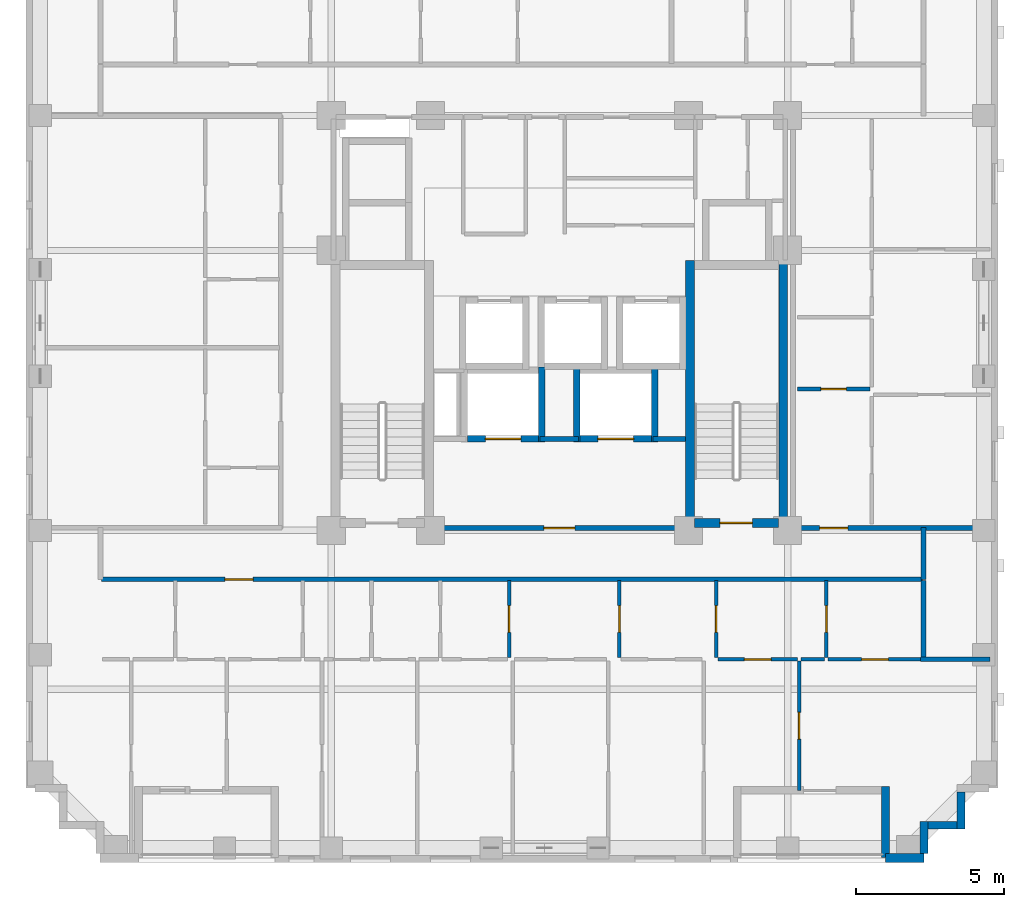
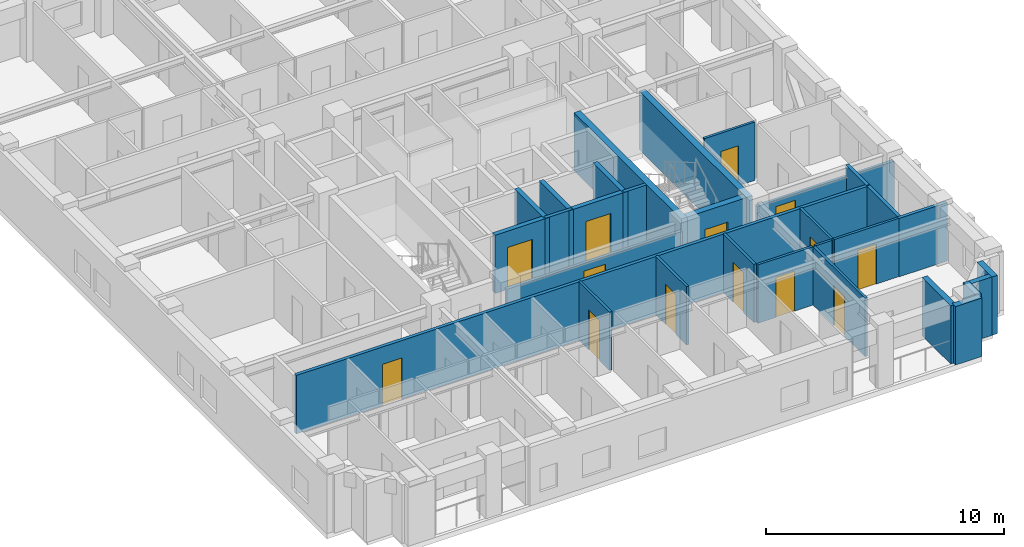
# One storey, part 4 of 12: 30 walls, 14 doors, 14 openings.
"""IFC4 building model written with IfcOpenShell, lengths in metres."""

from ifc_helpers import new_model, si_unit, derived_unit, direction, frame, frame_2d, origin, place, context, subcontext, project, spatial, rectangle, extrude, material, layer, layer_set, type_object, element, fill, save


model = new_model("IFC4")

# Units and contexts
model_context = context("Model", 3, precision=1e-05, world=origin(), true_north=direction((0.0, 1.0)))
body_context = subcontext(model_context, "Body", "Model", "MODEL_VIEW")
ifc_project = project(units=[si_unit("LENGTHUNIT", "METRE"), si_unit("AREAUNIT", "SQUARE_METRE"), si_unit("VOLUMEUNIT", "CUBIC_METRE"), si_unit("PLANEANGLEUNIT", "RADIAN"), si_unit("MASSUNIT", "GRAM", prefix="KILO"), derived_unit("THERMALTRANSMITTANCEUNIT", [(si_unit("MASSUNIT", "GRAM", prefix="KILO"), 1), (si_unit("TIMEUNIT", "SECOND"), -3), (si_unit("THERMODYNAMICTEMPERATUREUNIT", "KELVIN"), -1)])], contexts=[model_context])

# Site, building, storey
site_placement = place(None, origin())
site = spatial("IfcSite", under=ifc_project, at=site_placement, CompositionType="ELEMENT")
building_placement = place(site_placement, origin())
building = spatial("IfcBuilding", under=site, at=building_placement, Name="Korrvale Station Residences", CompositionType="ELEMENT")
storey_placement = place(building_placement, frame((0.0, 0.0, 130.89990234375)))
storey = spatial("IfcBuildingStorey", under=building, at=storey_placement, Name="L37", CompositionType="ELEMENT", Elevation=130.89990234375)

# Walls
ifc_material_1 = material(Name="Concrete C60/75", Category="concrete")
ifc_layer_1 = layer(ifc_material_1, 0.300048828125, Name="Concrete C60/75")
ifc_layer_set_1 = layer_set([ifc_layer_1], Name="Concrete C60/75")
wall_type_1 = type_object("IfcWallType", Name="WAL-CORE-300-C60", PredefinedType="SHEAR", material=ifc_layer_set_1)
for number, where, z_axis, x_axis, name in (
    (1, (29.89990234375, 15.10009765625, 0.0), (0.0, 0.0, 1.0), (0.0, 1.0, 0.0), "L37 ST-2 Core Shear Wall West"),
    (2, (33.050048828125, 15.10009765625, 0.0), (0.0, 0.0, 1.0), (0.0, 1.0, 0.0), "L37 ST-2 Core Shear Wall East"),
):
    element("IfcWall", number, at=place(storey_placement, frame(where, z_axis=z_axis, x_axis=x_axis)), inside=storey, type_object=wall_type_1, Name=name, PredefinedType="SHEAR", context=body_context, shape_type="SweptSolid", body=[
        extrude(rectangle(XDim=9.0, YDim=0.300048828125, at=frame_2d((4.5, 0.0))), origin(), (0.0, 0.0, 1.0), 2.989990234375),
    ])

# Wall, opening, door
wall_1_placement = place(storey_placement, frame((30.050048828125, 15.25, 0.0), z_axis=(0.0, 0.0, 1.0), x_axis=(1.0, 0.0, 0.0)))
wall_1 = element("IfcWall", 3, at=wall_1_placement, inside=storey, type_object=wall_type_1, Name="L37 ST-2 Core Shear Wall South", PredefinedType="SHEAR", context=body_context, shape_type="SweptSolid", body=[
    extrude(rectangle(XDim=2.849853515625, YDim=0.300048828125, at=frame_2d((1.4248046875, 0.0))), origin(), (0.0, 0.0, 1.0), 2.989990234375),
])
opening_1_placement = place(wall_1_placement, frame((0.860107421875, 0.0, 0.0)))
opening_1 = element("IfcOpeningElement", 4, at=opening_1_placement, cuts=wall_1, Name="Opening SD-1100", PredefinedType="OPENING", context=body_context, shape_type="SweptSolid", body=[
    extrude(rectangle(XDim=1.10009765625, YDim=2.050048828125, at=frame_2d((0.550048828125, 1.02490234375))), frame((0.0, 0.16015625, 0.0), z_axis=(0.0, -1.0, 0.0), x_axis=(1.0, 0.0, 0.0)), (0.0, 0.0, 1.0), 0.320068359375),
])
ifc_material_2 = material(Name="Hollow-metal fire-rated stair door with closer", Category="steel")
door_type_1 = type_object("IfcDoorType", Name="DR-STAIR-1100", OperationType="NOTDEFINED", PredefinedType="DOOR", material=ifc_material_2)
door_1_placement = place(opening_1_placement, origin())
door_1 = element("IfcDoor", 5, at=door_1_placement, inside=storey, type_object=door_type_1, Name="L37 ST-2 Exit Stair Door", OperationType="SINGLE_SWING_RIGHT", OverallHeight=2.050048828125, OverallWidth=1.10009765625, PredefinedType="DOOR", context=body_context, shape_type="SweptSolid", body=[
    extrude(rectangle(XDim=1.10009765625, YDim=2.050048828125, at=frame_2d((0.550048828125, 1.02490234375))), frame((0.0, 0.02490234375, 0.0), z_axis=(0.0, -1.0, 0.0), x_axis=(1.0, 0.0, 0.0)), (0.0, 0.0, 1.0), 0.050048828125),
])
fill(opening_1, door_1)

# Walls
ifc_material_3 = material(Name="Precast concrete C45/55", Category="concrete")
ifc_layer_2 = layer(ifc_material_3, 0.260009765625, Name="Precast concrete C45/55")
ifc_layer_set_2 = layer_set([ifc_layer_2], Name="Precast concrete C45/55")
wall_type_2 = type_object("IfcWallType", Name="WAL-EXT-LOG260", PredefinedType="SOLIDWALL", material=ifc_layer_set_2)
wall_2_placement = place(storey_placement, frame((36.5, 3.9599609375, 0.0), z_axis=(0.0, 0.0, 1.0), x_axis=(0.0, 1.0, 0.0)))
element("IfcWall", 6, at=wall_2_placement, inside=storey, type_object=wall_type_2, Name="L37 Recessed Loggia Wall BAL-L37-S2-L", PredefinedType="SOLIDWALL", context=body_context, shape_type="SweptSolid", body=[
    extrude(rectangle(XDim=2.400146484375, YDim=0.260009765625, at=frame_2d((1.2001953125, 0.0))), origin(), (0.0, 0.0, 1.0), 2.989990234375),
])
wall_3_placement = place(storey_placement, frame((39.050048828125, 6.16796875, 0.0), z_axis=(0.0, 0.0, 1.0), x_axis=(0.0, -1.0, 0.0)))
element("IfcWall", 7, at=wall_3_placement, inside=storey, type_object=wall_type_2, Name="L37 Serrated Corner Precast Step SE-2", PredefinedType="SOLIDWALL", context=body_context, shape_type="SweptSolid", body=[
    extrude(rectangle(XDim=1.248046875, YDim=0.260009765625, at=frame_2d((0.6240234375, 0.0))), origin(), (0.0, 0.0, 1.0), 2.989990234375),
])
wall_4_placement = place(storey_placement, frame((38.91796875, 5.050048828125, 0.0), z_axis=(0.0, 0.0, 1.0), x_axis=(-1.0, 0.0, 0.0)))
element("IfcWall", 8, at=wall_4_placement, inside=storey, type_object=wall_type_2, Name="L37 Serrated Corner Precast Step SE-3", PredefinedType="SOLIDWALL", context=body_context, shape_type="SweptSolid", body=[
    extrude(rectangle(XDim=0.986083984375, YDim=0.260009765625, at=frame_2d((0.4931640625, 0.0))), origin(), (0.0, 0.0, 1.0), 2.989990234375),
])
wall_5_placement = place(storey_placement, frame((37.800048828125, 5.179931640625, 0.0), z_axis=(0.0, 0.0, 1.0), x_axis=(0.0, -1.0, 0.0)))
element("IfcWall", 9, at=wall_5_placement, inside=storey, type_object=wall_type_2, Name="L37 Serrated Corner Precast Step SE-4", PredefinedType="SOLIDWALL", context=body_context, shape_type="SweptSolid", body=[
    extrude(rectangle(XDim=1.077880859375, YDim=0.260009765625, at=frame_2d((0.5390625, 0.0))), origin(), (0.0, 0.0, 1.0), 2.989990234375),
])
ifc_layer_3 = layer(ifc_material_3, 0.300048828125, Name="Precast concrete C45/55")
ifc_layer_set_3 = layer_set([ifc_layer_3], Name="Precast concrete C45/55")
wall_type_3 = type_object("IfcWallType", Name="WAL-EXT-PC300", PredefinedType="SOLIDWALL", material=ifc_layer_set_3)
wall_6_placement = place(storey_placement, frame((37.800048828125, 3.949951171875, 0.0), z_axis=(0.0, 0.0, 1.0), x_axis=(-1.0, 0.0, 0.0)))
element("IfcWall", 10, at=wall_6_placement, inside=storey, type_object=wall_type_3, Name="L37 South Exterior Precast Wall 1", PredefinedType="SOLIDWALL", context=body_context, shape_type="SweptSolid", body=[
    extrude(rectangle(XDim=1.300048828125, YDim=0.300048828125, at=frame_2d((0.64990234375, 0.0))), origin(), (0.0, 0.0, 1.0), 2.989990234375),
])

# Wall, opening, door
ifc_material_4 = material(Name="Acoustic steel-stud gypsum board partition", Category="steel")
ifc_layer_4 = layer(ifc_material_4, 0.1201171875, Name="Acoustic steel-stud gypsum board partition")
ifc_layer_set_4 = layer_set([ifc_layer_4], Name="Acoustic steel-stud gypsum board partition")
wall_type_4 = type_object("IfcWallType", Name="WAL-PART-125", PredefinedType="PARTITIONING", material=ifc_layer_set_4)
wall_7_placement = place(storey_placement, frame((23.800048828125, 10.7099609375, 0.0), z_axis=(0.0, 0.0, 1.0), x_axis=(0.0, 1.0, 0.0)))
wall_7 = element("IfcWall", 11, at=wall_7_placement, inside=storey, type_object=wall_type_4, Name="L37 Suite Partition U01-V45", PredefinedType="PARTITIONING", context=body_context, shape_type="SweptSolid", body=[
    extrude(rectangle(XDim=2.60009765625, YDim=0.1201171875, at=frame_2d((1.300048828125, 0.0))), origin(), (0.0, 0.0, 1.0), 2.989990234375),
])
opening_2_placement = place(wall_7_placement, frame((0.85009765625, 0.0, 0.0)))
opening_2 = element("IfcOpeningElement", 12, at=opening_2_placement, cuts=wall_7, Name="Opening DI-900", PredefinedType="OPENING", context=body_context, shape_type="SweptSolid", body=[
    extrude(rectangle(XDim=0.89990234375, YDim=2.050048828125, at=frame_2d((0.449951171875, 1.02490234375))), frame((0.0, 0.070068359375, 0.0), z_axis=(0.0, -1.0, 0.0), x_axis=(1.0, 0.0, 0.0)), (0.0, 0.0, 1.0), 0.14013671875),
])
ifc_material_5 = material(Name="Painted solid-core timber interior room door", Category="wood")
door_type_2 = type_object("IfcDoorType", Name="DR-INT-900", OperationType="NOTDEFINED", PredefinedType="DOOR", material=ifc_material_5)
door_2_placement = place(opening_2_placement, origin())
door_2 = element("IfcDoor", 13, at=door_2_placement, inside=storey, type_object=door_type_2, Name="L37 Studio Apartment L37-U01 Wardrobe Storage Room Door", OperationType="SINGLE_SWING_LEFT", OverallHeight=2.050048828125, OverallWidth=0.89990234375, PredefinedType="DOOR", context=body_context, shape_type="SweptSolid", body=[
    extrude(rectangle(XDim=0.89990234375, YDim=2.050048828125, at=frame_2d((0.449951171875, 1.02490234375))), frame((0.0, 0.02490234375, 0.0), z_axis=(0.0, -1.0, 0.0), x_axis=(1.0, 0.0, 0.0)), (0.0, 0.0, 1.0), 0.050048828125),
])
fill(opening_2, door_2)

wall_8_placement = place(storey_placement, frame((27.52001953125, 10.7099609375, 0.0), z_axis=(0.0, 0.0, 1.0), x_axis=(0.0, 1.0, 0.0)))
wall_8 = element("IfcWall", 14, at=wall_8_placement, inside=storey, type_object=wall_type_4, Name="L37 Suite Partition U01-V56", PredefinedType="PARTITIONING", context=body_context, shape_type="SweptSolid", body=[
    extrude(rectangle(XDim=2.60009765625, YDim=0.1201171875, at=frame_2d((1.300048828125, 0.0))), origin(), (0.0, 0.0, 1.0), 2.989990234375),
])
opening_3_placement = place(wall_8_placement, frame((0.85009765625, 0.0, 0.0)))
opening_3 = element("IfcOpeningElement", 15, at=opening_3_placement, cuts=wall_8, Name="Opening DI-900", PredefinedType="OPENING", context=body_context, shape_type="SweptSolid", body=[
    extrude(rectangle(XDim=0.89990234375, YDim=2.050048828125, at=frame_2d((0.449951171875, 1.02490234375))), frame((0.0, 0.070068359375, 0.0), z_axis=(0.0, -1.0, 0.0), x_axis=(1.0, 0.0, 0.0)), (0.0, 0.0, 1.0), 0.14013671875),
])
door_3_placement = place(opening_3_placement, origin())
door_3 = element("IfcDoor", 16, at=door_3_placement, inside=storey, type_object=door_type_2, Name="L37 Studio Apartment L37-U01 Utility and Laundry Room Door", OperationType="SINGLE_SWING_LEFT", OverallHeight=2.050048828125, OverallWidth=0.89990234375, PredefinedType="DOOR", context=body_context, shape_type="SweptSolid", body=[
    extrude(rectangle(XDim=0.89990234375, YDim=2.050048828125, at=frame_2d((0.449951171875, 1.02490234375))), frame((0.0, 0.02490234375, 0.0), z_axis=(0.0, -1.0, 0.0), x_axis=(1.0, 0.0, 0.0)), (0.0, 0.0, 1.0), 0.050048828125),
])
fill(opening_3, door_3)

wall_9_placement = place(storey_placement, frame((30.7900390625, 10.7099609375, 0.0), z_axis=(0.0, 0.0, 1.0), x_axis=(0.0, 1.0, 0.0)))
wall_9 = element("IfcWall", 17, at=wall_9_placement, inside=storey, type_object=wall_type_4, Name="L37 Suite Partition U01-V67", PredefinedType="PARTITIONING", context=body_context, shape_type="SweptSolid", body=[
    extrude(rectangle(XDim=2.60009765625, YDim=0.1201171875, at=frame_2d((1.300048828125, 0.0))), origin(), (0.0, 0.0, 1.0), 2.989990234375),
])
opening_4_placement = place(wall_9_placement, frame((0.85009765625, 0.0, 0.0)))
opening_4 = element("IfcOpeningElement", 18, at=opening_4_placement, cuts=wall_9, Name="Opening DI-900", PredefinedType="OPENING", context=body_context, shape_type="SweptSolid", body=[
    extrude(rectangle(XDim=0.89990234375, YDim=2.050048828125, at=frame_2d((0.449951171875, 1.02490234375))), frame((0.0, 0.070068359375, 0.0), z_axis=(0.0, -1.0, 0.0), x_axis=(1.0, 0.0, 0.0)), (0.0, 0.0, 1.0), 0.14013671875),
])
door_4_placement = place(opening_4_placement, origin())
door_4 = element("IfcDoor", 19, at=door_4_placement, inside=storey, type_object=door_type_2, Name="L37 Studio Apartment L37-U01 Storage Closet 2 Door", OperationType="SINGLE_SWING_LEFT", OverallHeight=2.050048828125, OverallWidth=0.89990234375, PredefinedType="DOOR", context=body_context, shape_type="SweptSolid", body=[
    extrude(rectangle(XDim=0.89990234375, YDim=2.050048828125, at=frame_2d((0.449951171875, 1.02490234375))), frame((0.0, 0.02490234375, 0.0), z_axis=(0.0, -1.0, 0.0), x_axis=(1.0, 0.0, 0.0)), (0.0, 0.0, 1.0), 0.050048828125),
])
fill(opening_4, door_4)

wall_10_placement = place(storey_placement, frame((34.510009765625, 10.7099609375, 0.0), z_axis=(0.0, 0.0, 1.0), x_axis=(0.0, 1.0, 0.0)))
wall_10 = element("IfcWall", 20, at=wall_10_placement, inside=storey, type_object=wall_type_4, Name="L37 Suite Partition U01-V78", PredefinedType="PARTITIONING", context=body_context, shape_type="SweptSolid", body=[
    extrude(rectangle(XDim=2.60009765625, YDim=0.1201171875, at=frame_2d((1.300048828125, 0.0))), origin(), (0.0, 0.0, 1.0), 2.989990234375),
])
opening_5_placement = place(wall_10_placement, frame((0.85009765625, 0.0, 0.0)))
opening_5 = element("IfcOpeningElement", 21, at=opening_5_placement, cuts=wall_10, Name="Opening DI-900", PredefinedType="OPENING", context=body_context, shape_type="SweptSolid", body=[
    extrude(rectangle(XDim=0.89990234375, YDim=2.050048828125, at=frame_2d((0.449951171875, 1.02490234375))), frame((0.0, 0.070068359375, 0.0), z_axis=(0.0, -1.0, 0.0), x_axis=(1.0, 0.0, 0.0)), (0.0, 0.0, 1.0), 0.14013671875),
])
door_5_placement = place(opening_5_placement, origin())
door_5 = element("IfcDoor", 22, at=door_5_placement, inside=storey, type_object=door_type_2, Name="L37 Studio Apartment L37-U01 Storage Closet 3 Door", OperationType="SINGLE_SWING_LEFT", OverallHeight=2.050048828125, OverallWidth=0.89990234375, PredefinedType="DOOR", context=body_context, shape_type="SweptSolid", body=[
    extrude(rectangle(XDim=0.89990234375, YDim=2.050048828125, at=frame_2d((0.449951171875, 1.02490234375))), frame((0.0, 0.02490234375, 0.0), z_axis=(0.0, -1.0, 0.0), x_axis=(1.0, 0.0, 0.0)), (0.0, 0.0, 1.0), 0.050048828125),
])
fill(opening_5, door_5)

wall_11_placement = place(storey_placement, frame((30.85009765625, 10.64990234375, 0.0), z_axis=(0.0, 0.0, 1.0), x_axis=(1.0, 0.0, 0.0)))
wall_11 = element("IfcWall", 23, at=wall_11_placement, inside=storey, type_object=wall_type_4, Name="L37 Suite Partition U01-H716", PredefinedType="PARTITIONING", context=body_context, shape_type="SweptSolid", body=[
    extrude(rectangle(XDim=2.679931640625, YDim=0.1201171875, at=frame_2d((1.33984375, 0.0))), origin(), (0.0, 0.0, 1.0), 2.989990234375),
])
opening_6_placement = place(wall_11_placement, frame((0.889892578125, 0.0, 0.0)))
opening_6 = element("IfcOpeningElement", 24, at=opening_6_placement, cuts=wall_11, Name="Opening DI-900", PredefinedType="OPENING", context=body_context, shape_type="SweptSolid", body=[
    extrude(rectangle(XDim=0.89990234375, YDim=2.050048828125, at=frame_2d((0.449951171875, 1.02490234375))), frame((0.0, 0.070068359375, 0.0), z_axis=(0.0, -1.0, 0.0), x_axis=(1.0, 0.0, 0.0)), (0.0, 0.0, 1.0), 0.14013671875),
])
door_6_placement = place(opening_6_placement, origin())
door_6 = element("IfcDoor", 25, at=door_6_placement, inside=storey, type_object=door_type_2, Name="L37 Studio Apartment L37-U01 Storage Closet 3 Door", OperationType="SINGLE_SWING_RIGHT", OverallHeight=2.050048828125, OverallWidth=0.89990234375, PredefinedType="DOOR", context=body_context, shape_type="SweptSolid", body=[
    extrude(rectangle(XDim=0.89990234375, YDim=2.050048828125, at=frame_2d((0.449951171875, 1.02490234375))), frame((0.0, 0.02490234375, 0.0), z_axis=(0.0, -1.0, 0.0), x_axis=(1.0, 0.0, 0.0)), (0.0, 0.0, 1.0), 0.050048828125),
])
fill(opening_6, door_6)

# Wall
wall_12_placement = place(storey_placement, frame((33.64990234375, 10.64990234375, 0.0), z_axis=(0.0, 0.0, 1.0), x_axis=(1.0, 0.0, 0.0)))
element("IfcWall", 26, at=wall_12_placement, inside=storey, type_object=wall_type_4, Name="L37 Suite Partition U01-H717", PredefinedType="PARTITIONING", context=body_context, shape_type="SweptSolid", body=[
    extrude(rectangle(XDim=0.800048828125, YDim=0.1201171875, at=frame_2d((0.39990234375, 0.0))), origin(), (0.0, 0.0, 1.0), 2.989990234375),
])

# Wall, opening, door
wall_13_placement = place(storey_placement, frame((34.570068359375, 10.64990234375, 0.0), z_axis=(0.0, 0.0, 1.0), x_axis=(1.0, 0.0, 0.0)))
wall_13 = element("IfcWall", 27, at=wall_13_placement, inside=storey, type_object=wall_type_4, Name="L37 Suite Partition U01-H817", PredefinedType="PARTITIONING", context=body_context, shape_type="SweptSolid", body=[
    extrude(rectangle(XDim=3.14990234375, YDim=0.1201171875, at=frame_2d((1.574951171875, 0.0))), origin(), (0.0, 0.0, 1.0), 2.989990234375),
])
opening_7_placement = place(wall_13_placement, frame((1.125, 0.0, 0.0)))
opening_7 = element("IfcOpeningElement", 28, at=opening_7_placement, cuts=wall_13, Name="Opening DI-900", PredefinedType="OPENING", context=body_context, shape_type="SweptSolid", body=[
    extrude(rectangle(XDim=0.89990234375, YDim=2.050048828125, at=frame_2d((0.449951171875, 1.02490234375))), frame((0.0, 0.070068359375, 0.0), z_axis=(0.0, -1.0, 0.0), x_axis=(1.0, 0.0, 0.0)), (0.0, 0.0, 1.0), 0.14013671875),
])
door_7_placement = place(opening_7_placement, origin())
door_7 = element("IfcDoor", 29, at=door_7_placement, inside=storey, type_object=door_type_2, Name="L37 Studio Apartment L37-U01 Storage Closet 4 Door", OperationType="SINGLE_SWING_LEFT", OverallHeight=2.050048828125, OverallWidth=0.89990234375, PredefinedType="DOOR", context=body_context, shape_type="SweptSolid", body=[
    extrude(rectangle(XDim=0.89990234375, YDim=2.050048828125, at=frame_2d((0.449951171875, 1.02490234375))), frame((0.0, 0.02490234375, 0.0), z_axis=(0.0, -1.0, 0.0), x_axis=(1.0, 0.0, 0.0)), (0.0, 0.0, 1.0), 0.050048828125),
])
fill(opening_7, door_7)

wall_14_placement = place(storey_placement, frame((33.590087890625, 6.22998046875, 0.0), z_axis=(0.0, 0.0, 1.0), x_axis=(0.0, 1.0, 0.0)))
wall_14 = element("IfcWall", 30, at=wall_14_placement, inside=storey, type_object=wall_type_4, Name="L37 Suite Partition U01-V1617", PredefinedType="PARTITIONING", context=body_context, shape_type="SweptSolid", body=[
    extrude(rectangle(XDim=4.360107421875, YDim=0.1201171875, at=frame_2d((2.18017578125, 0.0))), origin(), (0.0, 0.0, 1.0), 2.989990234375),
])
opening_8_placement = place(wall_14_placement, frame((1.72998046875, 0.0, 0.0)))
opening_8 = element("IfcOpeningElement", 31, at=opening_8_placement, cuts=wall_14, Name="Opening DI-900", PredefinedType="OPENING", context=body_context, shape_type="SweptSolid", body=[
    extrude(rectangle(XDim=0.89990234375, YDim=2.050048828125, at=frame_2d((0.449951171875, 1.02490234375))), frame((0.0, 0.070068359375, 0.0), z_axis=(0.0, -1.0, 0.0), x_axis=(1.0, 0.0, 0.0)), (0.0, 0.0, 1.0), 0.14013671875),
])
door_8_placement = place(opening_8_placement, origin())
door_8 = element("IfcDoor", 32, at=door_8_placement, inside=storey, type_object=door_type_2, Name="L37 Studio Apartment L37-U01 Formal Dining Room Door", OperationType="SINGLE_SWING_LEFT", OverallHeight=2.050048828125, OverallWidth=0.89990234375, PredefinedType="DOOR", context=body_context, shape_type="SweptSolid", body=[
    extrude(rectangle(XDim=0.89990234375, YDim=2.050048828125, at=frame_2d((0.449951171875, 1.02490234375))), frame((0.0, 0.02490234375, 0.0), z_axis=(0.0, -1.0, 0.0), x_axis=(1.0, 0.0, 0.0)), (0.0, 0.0, 1.0), 0.050048828125),
])
fill(opening_8, door_8)

wall_15_placement = place(storey_placement, frame((33.530029296875, 19.77001953125, 0.0), z_axis=(0.0, 0.0, 1.0), x_axis=(1.0, 0.0, 0.0)))
wall_15 = element("IfcWall", 33, at=wall_15_placement, inside=storey, type_object=wall_type_4, Name="L37 Suite Partition U06-H12", PredefinedType="PARTITIONING", context=body_context, shape_type="SweptSolid", body=[
    extrude(rectangle(XDim=2.449951171875, YDim=0.1201171875, at=frame_2d((1.22509765625, 0.0))), origin(), (0.0, 0.0, 1.0), 2.989990234375),
])
opening_9_placement = place(wall_15_placement, frame((0.794921875, 0.0, 0.0)))
opening_9 = element("IfcOpeningElement", 34, at=opening_9_placement, cuts=wall_15, Name="Opening DB-860", PredefinedType="OPENING", context=body_context, shape_type="SweptSolid", body=[
    extrude(rectangle(XDim=0.860107421875, YDim=2.050048828125, at=frame_2d((0.43017578125, 1.02490234375))), frame((0.0, 0.070068359375, 0.0), z_axis=(0.0, -1.0, 0.0), x_axis=(1.0, 0.0, 0.0)), (0.0, 0.0, 1.0), 0.14013671875),
])
ifc_material_6 = material(Name="Moisture-resistant solid-core bathroom door", Category="timber")
door_type_3 = type_object("IfcDoorType", Name="DR-BATH-860", OperationType="NOTDEFINED", PredefinedType="DOOR", material=ifc_material_6)
door_9_placement = place(opening_9_placement, origin())
door_9 = element("IfcDoor", 35, at=door_9_placement, inside=storey, type_object=door_type_3, Name="L37 Apartment 2BR L37-U06 Bathroom Door", OperationType="SINGLE_SWING_RIGHT", OverallHeight=2.050048828125, OverallWidth=0.860107421875, PredefinedType="DOOR", context=body_context, shape_type="SweptSolid", body=[
    extrude(rectangle(XDim=0.860107421875, YDim=2.050048828125, at=frame_2d((0.43017578125, 1.02490234375))), frame((0.0, 0.02490234375, 0.0), z_axis=(0.0, -1.0, 0.0), x_axis=(1.0, 0.0, 0.0)), (0.0, 0.0, 1.0), 0.050048828125),
])
fill(opening_9, door_9)

ifc_material_7 = material(Name="Fire-rated twin-stud gypsum and mineral wool shaftwall assembly", Category="gypsum")
ifc_layer_5 = layer(ifc_material_7, 0.159912109375, Name="Fire-rated twin-stud gypsum and mineral wool shaftwall assembly")
ifc_layer_set_5 = layer_set([ifc_layer_5], Name="Fire-rated twin-stud gypsum and mineral wool shaftwall assembly")
wall_type_5 = type_object("IfcWallType", Name="WAL-PART-200", PredefinedType="PARTITIONING", material=ifc_layer_set_5)
wall_16_placement = place(storey_placement, frame((21.25, 15.080078125, 0.0), z_axis=(0.0, 0.0, 1.0), x_axis=(1.0, 0.0, 0.0)))
wall_16 = element("IfcWall", 36, at=wall_16_placement, inside=storey, type_object=wall_type_5, Name="L37 Core Partition CW-FFL-S", PredefinedType="PARTITIONING", context=body_context, shape_type="SweptSolid", body=[
    extrude(rectangle(XDim=8.5, YDim=0.159912109375, at=frame_2d((4.25, 0.0))), origin(), (0.0, 0.0, 1.0), 2.426025390625),
])
opening_10_placement = place(wall_16_placement, frame((3.72509765625, 0.0, 0.0)))
opening_10 = element("IfcOpeningElement", 37, at=opening_10_placement, cuts=wall_16, Name="Opening FD-1050", PredefinedType="OPENING", context=body_context, shape_type="SweptSolid", body=[
    extrude(rectangle(XDim=1.050048828125, YDim=2.050048828125, at=frame_2d((0.52490234375, 1.02490234375))), frame((0.0, 0.08984375, 0.0), z_axis=(0.0, -1.0, 0.0), x_axis=(1.0, 0.0, 0.0)), (0.0, 0.0, 1.0), 0.179931640625),
])
ifc_material_8 = material(Name="Fire-rated mineral-core timber lobby door", Category="wood")
door_type_4 = type_object("IfcDoorType", Name="DR-CORE-1050", OperationType="NOTDEFINED", PredefinedType="DOOR", material=ifc_material_8)
door_10_placement = place(opening_10_placement, origin())
door_10 = element("IfcDoor", 38, at=door_10_placement, inside=storey, type_object=door_type_4, Name="L37 Firefighting Lobby Entry Door", OperationType="SINGLE_SWING_LEFT", OverallHeight=2.050048828125, OverallWidth=1.050048828125, PredefinedType="DOOR", context=body_context, shape_type="SweptSolid", body=[
    extrude(rectangle(XDim=1.050048828125, YDim=2.050048828125, at=frame_2d((0.52490234375, 1.02490234375))), frame((0.0, 0.02490234375, 0.0), z_axis=(0.0, -1.0, 0.0), x_axis=(1.0, 0.0, 0.0)), (0.0, 0.0, 1.0), 0.050048828125),
])
fill(opening_10, door_10)

# Walls
wall_17_placement = place(storey_placement, frame((24.85009765625, 18.080078125, 0.0), z_axis=(0.0, 0.0, 1.0), x_axis=(1.0, 0.0, 0.0)))
element("IfcWall", 39, at=wall_17_placement, inside=storey, type_object=wall_type_5, Name="L37 Core Partition CW-FFL-N2", PredefinedType="PARTITIONING", context=body_context, shape_type="SweptSolid", body=[
    extrude(rectangle(XDim=1.2998046875, YDim=0.159912109375, at=frame_2d((0.64990234375, 0.0))), origin(), (0.0, 0.0, 1.0), 2.989990234375),
])
wall_18_placement = place(storey_placement, frame((28.64990234375, 18.080078125, 0.0), z_axis=(0.0, 0.0, 1.0), x_axis=(1.0, 0.0, 0.0)))
element("IfcWall", 40, at=wall_18_placement, inside=storey, type_object=wall_type_5, Name="L37 Core Partition CW-FFL-N3", PredefinedType="PARTITIONING", context=body_context, shape_type="SweptSolid", body=[
    extrude(rectangle(XDim=1.10009765625, YDim=0.159912109375, at=frame_2d((0.550048828125, 0.0))), origin(), (0.0, 0.0, 1.0), 2.989990234375),
])
wall_19_placement = place(storey_placement, frame((37.780029296875, 13.35009765625, 0.0), z_axis=(0.0, 0.0, 1.0), x_axis=(0.0, 1.0, 0.0)))
element("IfcWall", 41, at=wall_19_placement, inside=storey, type_object=wall_type_5, Name="L37 Corridor South East Cap", PredefinedType="PARTITIONING", context=body_context, shape_type="SweptSolid", body=[
    extrude(rectangle(XDim=1.739990234375, YDim=0.159912109375, at=frame_2d((0.8701171875, 0.0))), origin(), (0.0, 0.0, 1.0), 2.989990234375),
])
wall_20_placement = place(storey_placement, frame((37.679931640625, 10.64990234375, 0.0), z_axis=(0.0, 0.0, 1.0), x_axis=(1.0, 0.0, 0.0)))
element("IfcWall", 42, at=wall_20_placement, inside=storey, type_object=wall_type_5, Name="L37 Corner Step Wall U01-R", PredefinedType="PARTITIONING", context=body_context, shape_type="SweptSolid", body=[
    extrude(rectangle(XDim=2.340087890625, YDim=0.159912109375, at=frame_2d((1.169921875, 0.0))), origin(), (0.0, 0.0, 1.0), 2.989990234375),
])
wall_21_placement = place(storey_placement, frame((37.780029296875, 10.64990234375, 0.0), z_axis=(0.0, 0.0, 1.0), x_axis=(0.0, 1.0, 0.0)))
element("IfcWall", 43, at=wall_21_placement, inside=storey, type_object=wall_type_5, Name="L37 Corner Step Cheek U01-R", PredefinedType="PARTITIONING", context=body_context, shape_type="SweptSolid", body=[
    extrude(rectangle(XDim=2.66015625, YDim=0.159912109375, at=frame_2d((1.330078125, 0.0))), origin(), (0.0, 0.0, 1.0), 2.989990234375),
])

# Wall, opening, door
wall_22_placement = place(storey_placement, frame((33.3798828125, 15.080078125, 0.0), z_axis=(0.0, 0.0, 1.0), x_axis=(1.0, 0.0, 0.0)))
wall_22 = element("IfcWall", 44, at=wall_22_placement, inside=storey, type_object=wall_type_5, Name="L37 Side Suite South Entry Wall U06", PredefinedType="PARTITIONING", context=body_context, shape_type="SweptSolid", body=[
    extrude(rectangle(XDim=6.64013671875, YDim=0.159912109375, at=frame_2d((3.320068359375, 0.0))), origin(), (0.0, 0.0, 1.0), 2.426025390625),
])
opening_11_placement = place(wall_22_placement, frame((0.89990234375, 0.0, 0.0)))
opening_11 = element("IfcOpeningElement", 45, at=opening_11_placement, cuts=wall_22, Name="Opening UD-950", PredefinedType="OPENING", context=body_context, shape_type="SweptSolid", body=[
    extrude(rectangle(XDim=0.949951171875, YDim=2.10009765625, at=frame_2d((0.47509765625, 1.050048828125))), frame((0.0, 0.08984375, 0.0), z_axis=(0.0, -1.0, 0.0), x_axis=(1.0, 0.0, 0.0)), (0.0, 0.0, 1.0), 0.179931640625),
])
ifc_material_9 = material(Name="Solid-core acoustic oak apartment entrance door", Category="timber")
door_type_5 = type_object("IfcDoorType", Name="DR-UNIT-950", OperationType="NOTDEFINED", PredefinedType="DOOR", material=ifc_material_9)
door_11_placement = place(opening_11_placement, origin())
door_11 = element("IfcDoor", 46, at=door_11_placement, inside=storey, type_object=door_type_5, Name="L37 Apartment L37-U06 Entrance Door", OperationType="SINGLE_SWING_LEFT", OverallHeight=2.10009765625, OverallWidth=0.949951171875, PredefinedType="DOOR", context=body_context, shape_type="SweptSolid", body=[
    extrude(rectangle(XDim=0.949951171875, YDim=2.10009765625, at=frame_2d((0.47509765625, 1.050048828125))), frame((0.0, 0.02490234375, 0.0), z_axis=(0.0, -1.0, 0.0), x_axis=(1.0, 0.0, 0.0)), (0.0, 0.0, 1.0), 0.050048828125),
])
fill(opening_11, door_11)

wall_23_placement = place(storey_placement, frame((10.050048828125, 13.35009765625, 0.0), z_axis=(0.0, 0.0, 1.0), x_axis=(1.0, 0.0, 0.0)))
wall_23 = element("IfcWall", 47, at=wall_23_placement, inside=storey, type_object=wall_type_5, Name="L37 Rated Corridor Wall S", PredefinedType="PARTITIONING", context=body_context, shape_type="SweptSolid", body=[
    extrude(rectangle(XDim=27.699951171875, YDim=0.159912109375, at=frame_2d((13.85009765625, 0.0))), origin(), (0.0, 0.0, 1.0), 2.989990234375),
])
opening_12_placement = place(wall_23_placement, frame((4.1650390625, 0.0, 0.0)))
opening_12 = element("IfcOpeningElement", 48, at=opening_12_placement, cuts=wall_23, Name="Opening UD-950", PredefinedType="OPENING", context=body_context, shape_type="SweptSolid", body=[
    extrude(rectangle(XDim=0.949951171875, YDim=2.10009765625, at=frame_2d((0.47509765625, 1.050048828125))), frame((0.0, 0.08984375, 0.0), z_axis=(0.0, -1.0, 0.0), x_axis=(1.0, 0.0, 0.0)), (0.0, 0.0, 1.0), 0.179931640625),
])
door_12_placement = place(opening_12_placement, origin())
door_12 = element("IfcDoor", 49, at=door_12_placement, inside=storey, type_object=door_type_5, Name="L37 Apartment L37-U01 Entrance Door", OperationType="SINGLE_SWING_RIGHT", OverallHeight=2.10009765625, OverallWidth=0.949951171875, PredefinedType="DOOR", context=body_context, shape_type="SweptSolid", body=[
    extrude(rectangle(XDim=0.949951171875, YDim=2.10009765625, at=frame_2d((0.47509765625, 1.050048828125))), frame((0.0, 0.02490234375, 0.0), z_axis=(0.0, -1.0, 0.0), x_axis=(1.0, 0.0, 0.0)), (0.0, 0.0, 1.0), 0.050048828125),
])
fill(opening_12, door_12)

ifc_layer_6 = layer(ifc_material_1, 0.219970703125, Name="Concrete C60/75")
ifc_layer_set_6 = layer_set([ifc_layer_6], Name="Concrete C60/75")
wall_type_6 = type_object("IfcWallType", Name="WAL-SHAFT-220-C60", PredefinedType="SHEAR", material=ifc_layer_set_6)
wall_24_placement = place(storey_placement, frame((22.39990234375, 18.090087890625, 0.0), z_axis=(0.0, 0.0, 1.0), x_axis=(1.0, 0.0, 0.0)))
wall_24 = element("IfcWall", 50, at=wall_24_placement, inside=storey, type_object=wall_type_6, Name="L37 Elevator FFL-1 Hoistway Wall South", PredefinedType="SHEAR", context=body_context, shape_type="SweptSolid", body=[
    extrude(rectangle(XDim=2.400146484375, YDim=0.219970703125, at=frame_2d((1.2001953125, 0.0))), origin(), (0.0, 0.0, 1.0), 2.989990234375),
])
opening_13_placement = place(wall_24_placement, frame((0.60009765625, 0.0, 0.0)))
opening_13 = element("IfcOpeningElement", 51, at=opening_13_placement, cuts=wall_24, Name="Opening LD-FF1200", PredefinedType="OPENING", context=body_context, shape_type="SweptSolid", body=[
    extrude(rectangle(XDim=1.199951171875, YDim=2.14990234375, at=frame_2d((0.60009765625, 1.074951171875))), frame((0.0, 0.1201171875, 0.0), z_axis=(0.0, -1.0, 0.0), x_axis=(1.0, 0.0, 0.0)), (0.0, 0.0, 1.0), 0.239990234375),
])
ifc_material_10 = material(Name="Stainless-steel firefighter elevator landing sliding door", Category="steel")
door_type_6 = type_object("IfcDoorType", Name="DR-LIFT-FF1200", OperationType="SLIDING_TO_LEFT", PredefinedType="DOOR", material=ifc_material_10)
door_13_placement = place(opening_13_placement, origin())
door_13 = element("IfcDoor", 52, at=door_13_placement, inside=storey, type_object=door_type_6, Name="L37 Elevator FFL-1 Sliding Landing Door", OperationType="SLIDING_TO_LEFT", OverallHeight=2.14990234375, OverallWidth=1.199951171875, PredefinedType="DOOR", context=body_context, shape_type="SweptSolid", body=[
    extrude(rectangle(XDim=1.199951171875, YDim=2.14990234375, at=frame_2d((0.60009765625, 1.074951171875))), frame((0.0, 0.02490234375, 0.0), z_axis=(0.0, -1.0, 0.0), x_axis=(1.0, 0.0, 0.0)), (0.0, 0.0, 1.0), 0.050048828125),
])
fill(opening_13, door_13)

# Wall
wall_25_placement = place(storey_placement, frame((24.909912109375, 17.97998046875, 0.0), z_axis=(0.0, 0.0, 1.0), x_axis=(0.0, 1.0, 0.0)))
element("IfcWall", 53, at=wall_25_placement, inside=storey, type_object=wall_type_6, Name="L37 Elevator FFL-1 Hoistway Wall East", PredefinedType="SHEAR", context=body_context, shape_type="SweptSolid", body=[
    extrude(rectangle(XDim=2.5400390625, YDim=0.219970703125, at=frame_2d((1.27001953125, 0.0))), origin(), (0.0, 0.0, 1.0), 2.989990234375),
])

# Wall, opening, door
wall_26_placement = place(storey_placement, frame((26.199951171875, 18.090087890625, 0.0), z_axis=(0.0, 0.0, 1.0), x_axis=(1.0, 0.0, 0.0)))
wall_26 = element("IfcWall", 54, at=wall_26_placement, inside=storey, type_object=wall_type_6, Name="L37 Elevator FFL-2 Hoistway Wall South", PredefinedType="SHEAR", context=body_context, shape_type="SweptSolid", body=[
    extrude(rectangle(XDim=2.400146484375, YDim=0.219970703125, at=frame_2d((1.2001953125, 0.0))), origin(), (0.0, 0.0, 1.0), 2.989990234375),
])
opening_14_placement = place(wall_26_placement, frame((0.60009765625, 0.0, 0.0)))
opening_14 = element("IfcOpeningElement", 55, at=opening_14_placement, cuts=wall_26, Name="Opening LD-FF1200", PredefinedType="OPENING", context=body_context, shape_type="SweptSolid", body=[
    extrude(rectangle(XDim=1.199951171875, YDim=2.14990234375, at=frame_2d((0.60009765625, 1.074951171875))), frame((0.0, 0.1201171875, 0.0), z_axis=(0.0, -1.0, 0.0), x_axis=(1.0, 0.0, 0.0)), (0.0, 0.0, 1.0), 0.239990234375),
])
door_14_placement = place(opening_14_placement, origin())
door_14 = element("IfcDoor", 56, at=door_14_placement, inside=storey, type_object=door_type_6, Name="L37 Elevator FFL-2 Sliding Landing Door", OperationType="SLIDING_TO_LEFT", OverallHeight=2.14990234375, OverallWidth=1.199951171875, PredefinedType="DOOR", context=body_context, shape_type="SweptSolid", body=[
    extrude(rectangle(XDim=1.199951171875, YDim=2.14990234375, at=frame_2d((0.60009765625, 1.074951171875))), frame((0.0, 0.02490234375, 0.0), z_axis=(0.0, -1.0, 0.0), x_axis=(1.0, 0.0, 0.0)), (0.0, 0.0, 1.0), 0.050048828125),
])
fill(opening_14, door_14)

# Walls
for number, where, z_axis, x_axis, name in (
    (57, (26.090087890625, 17.97998046875, 0.0), (0.0, 0.0, 1.0), (0.0, 1.0, 0.0), "L37 Elevator FFL-2 Hoistway Wall West"),
    (58, (28.7099609375, 17.97998046875, 0.0), (0.0, 0.0, 1.0), (0.0, 1.0, 0.0), "L37 Elevator FFL-2 Hoistway Wall East"),
):
    element("IfcWall", number, at=place(storey_placement, frame(where, z_axis=z_axis, x_axis=x_axis)), inside=storey, type_object=wall_type_6, Name=name, PredefinedType="SHEAR", context=body_context, shape_type="SweptSolid", body=[
        extrude(rectangle(XDim=2.5400390625, YDim=0.219970703125, at=frame_2d((1.27001953125, 0.0))), origin(), (0.0, 0.0, 1.0), 2.989990234375),
    ])

save(model, "model.ifc")
